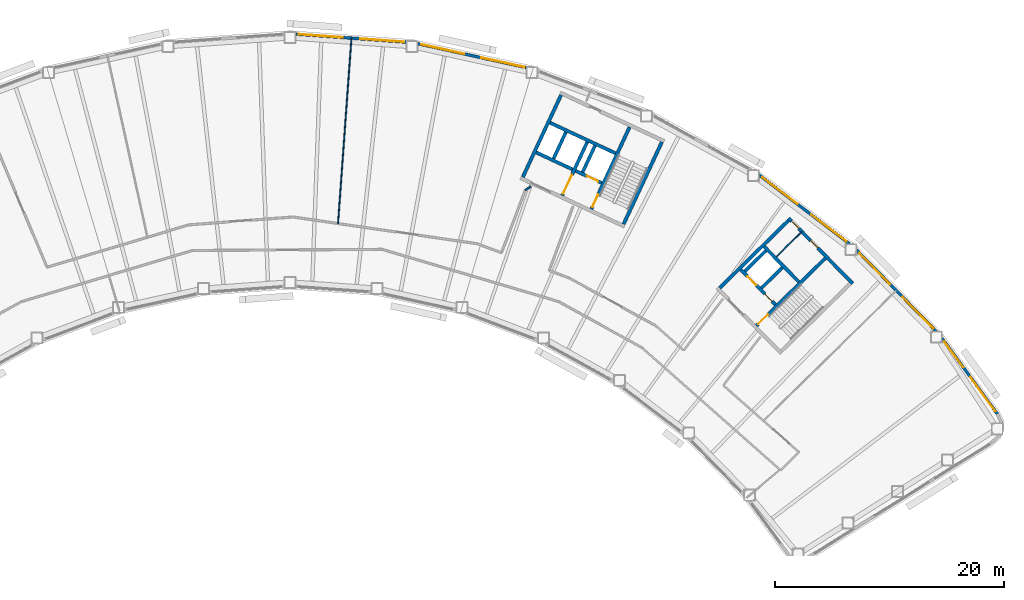
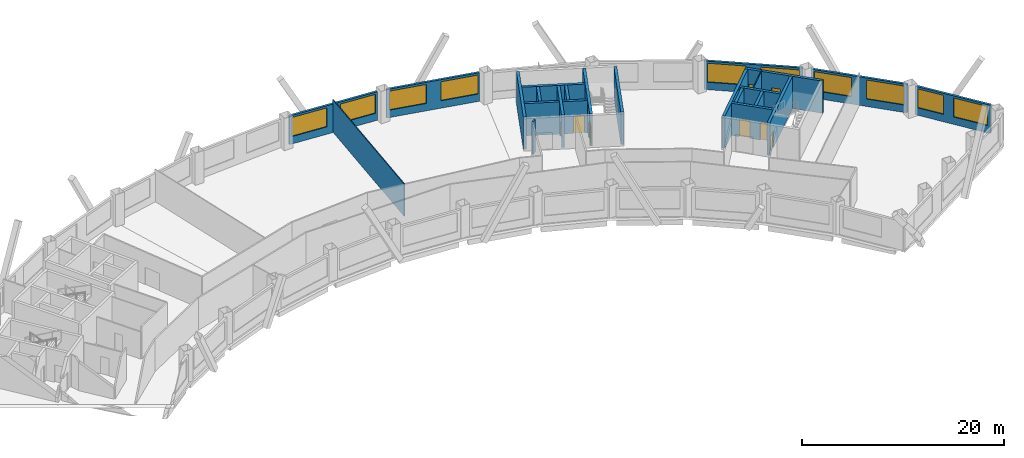
# One storey, part 7 of 11: 24 walls, 10 windows, 8 doors, 18 openings.
"""IFC4 building model written with IfcOpenShell, lengths in metres."""

from ifc_helpers import new_model, si_unit, direction, frame, frame_2d, origin, place, context, subcontext, project, spatial, rectangle, extrude, material, layer, layer_set, type_object, element, fill, save


model = new_model("IFC4")

# Units and contexts
model_context = context("Model", 3, precision=1e-05, world=origin(), true_north=direction((0.0, 1.0)))
body_context = subcontext(model_context, "Body", "Model", "MODEL_VIEW")
ifc_project = project(units=[si_unit("LENGTHUNIT", "METRE"), si_unit("AREAUNIT", "SQUARE_METRE"), si_unit("VOLUMEUNIT", "CUBIC_METRE"), si_unit("PLANEANGLEUNIT", "RADIAN"), si_unit("MASSUNIT", "GRAM", prefix="KILO")], contexts=[model_context])

# Site, building, storey
site_placement = place(None, origin())
site = spatial("IfcSite", under=ifc_project, at=site_placement, CompositionType="ELEMENT")
building_placement = place(site_placement, origin())
building = spatial("IfcBuilding", under=site, at=building_placement, Name="Tuul Gate Civic Tower", CompositionType="ELEMENT")
storey_placement = place(building_placement, frame((0.0, 0.0, 155.0)))
storey = spatial("IfcBuildingStorey", under=building, at=storey_placement, Name="Level 35", CompositionType="ELEMENT", Elevation=155.0)

# Wall, openings, doors
ifc_material_1 = material(Name="Concrete C50/60", Category="concrete")
ifc_layer_1 = layer(ifc_material_1, 0.300048828125)
ifc_layer_set_1 = layer_set([ifc_layer_1], Name="Concrete C50/60")
wall_type_1 = type_object("IfcWallType", Name="Core wall C50/60", PredefinedType="SHEAR", material=ifc_layer_set_1)
wall_1_placement = place(storey_placement, frame((47.701904296875, -14.079833984375, 0.0), z_axis=(0.0, 0.0, 1.0), x_axis=(-0.700002721075, 0.714140175657, 0.0)))
wall_1 = element("IfcWall", 1, at=wall_1_placement, inside=storey, type_object=wall_type_1, Name="Core wall", PredefinedType="SHEAR", context=body_context, shape_type="SweptSolid", body=[
    extrude(rectangle(XDim=4.300048828125, YDim=0.300048828125, at=frame_2d((2.14990234375, 0.0))), origin(), (0.0, 0.0, 1.0), 3.89990234375),
])
opening_1_placement = place(wall_1_placement, frame((0.425048828125, 0.0, 0.0)))
opening_1 = element("IfcOpeningElement", 2, at=opening_1_placement, cuts=wall_1, Name="Opening FB-E1A1", PredefinedType="OPENING", context=body_context, shape_type="SweptSolid", body=[
    extrude(rectangle(XDim=0.89990234375, YDim=2.10009765625, at=frame_2d((0.449951171875, 1.050048828125))), frame((0.0, 0.16015625, 0.0), z_axis=(0.0, -1.0, 0.0), x_axis=(1.0, 0.0, 0.0)), (0.0, 0.0, 1.0), 0.320068359375),
])
opening_2_placement = place(wall_1_placement, frame((2.375, 0.0, 0.0)))
opening_2 = element("IfcOpeningElement", 3, at=opening_2_placement, cuts=wall_1, Name="Opening LD-M3", PredefinedType="OPENING", context=body_context, shape_type="SweptSolid", body=[
    extrude(rectangle(XDim=1.10009765625, YDim=2.10009765625, at=frame_2d((0.550048828125, 1.050048828125))), frame((0.0, 0.16015625, 0.0), z_axis=(0.0, -1.0, 0.0), x_axis=(1.0, 0.0, 0.0)), (0.0, 0.0, 1.0), 0.320068359375),
])
ifc_material_2 = material(Name="Stainless steel", Category="steel")
door_type_1 = type_object("IfcDoorType", Name="Landing door", OperationType="DOUBLE_DOOR_SLIDING", PredefinedType="DOOR", material=ifc_material_2)
door_1_placement = place(opening_2_placement, origin())
door_1 = element("IfcDoor", 4, at=door_1_placement, inside=storey, type_object=door_type_1, Name="Mid-rise lift M3 landing door", OperationType="DOUBLE_DOOR_SLIDING", OverallHeight=2.10009765625, OverallWidth=1.10009765625, PredefinedType="DOOR", context=body_context, shape_type="SweptSolid", body=[
    extrude(rectangle(XDim=1.10009765625, YDim=2.10009765625, at=frame_2d((0.550048828125, 1.050048828125))), frame((0.0, 0.02490234375, 0.0), z_axis=(0.0, -1.0, 0.0), x_axis=(1.0, 0.0, 0.0)), (0.0, 0.0, 1.0), 0.050048828125),
])
fill(opening_2, door_1)
ifc_material_3 = material(Name="Steel", Category="steel")
door_type_2 = type_object("IfcDoorType", Name="Store door", OperationType="NOTDEFINED", PredefinedType="DOOR", material=ifc_material_3)
door_2_placement = place(opening_1_placement, frame((0.89990234375, 0.0, 0.0), z_axis=(0.0, 0.0, 1.0), x_axis=(-1.0, 0.0, 0.0)))
door_2 = element("IfcDoor", 5, at=door_2_placement, inside=storey, type_object=door_type_2, Name="Store door E1A1", OperationType="SINGLE_SWING_RIGHT", OverallHeight=2.10009765625, OverallWidth=0.89990234375, PredefinedType="DOOR", context=body_context, shape_type="SweptSolid", body=[
    extrude(rectangle(XDim=0.89990234375, YDim=2.10009765625, at=frame_2d((0.449951171875, 1.050048828125))), frame((0.0, 0.02490234375, 0.0), z_axis=(0.0, -1.0, 0.0), x_axis=(1.0, 0.0, 0.0)), (0.0, 0.0, 1.0), 0.050048828125),
])
fill(opening_1, door_2)

# Wall
wall_2_placement = place(storey_placement, frame((49.737060546875, -12.0849609375, 0.0), z_axis=(0.0, 0.0, 1.0), x_axis=(-0.700002721075, 0.714140175657, 0.0)))
element("IfcWall", 6, at=wall_2_placement, inside=storey, type_object=wall_type_1, Name="Core wall", PredefinedType="SHEAR", context=body_context, shape_type="SweptSolid", body=[
    extrude(rectangle(XDim=4.300048828125, YDim=0.300048828125, at=frame_2d((2.14990234375, 0.0))), origin(), (0.0, 0.0, 1.0), 3.89990234375),
])

# Wall, openings, doors
wall_3_placement = place(storey_placement, frame((54.43798828125, -12.23779296875, 0.0), z_axis=(0.0, 0.0, 1.0), x_axis=(-0.700021979774, 0.714121297703, 0.0)))
wall_3 = element("IfcWall", 7, at=wall_3_placement, inside=storey, type_object=wall_type_1, Name="Core wall", PredefinedType="SHEAR", context=body_context, shape_type="SweptSolid", body=[
    extrude(rectangle(XDim=8.0, YDim=0.300048828125, at=frame_2d((4.0, 0.0))), origin(), (0.0, 0.0, 1.0), 3.89990234375),
])
opening_3_placement = place(wall_3_placement, frame((4.34375, 0.0, 0.0)))
opening_3 = element("IfcOpeningElement", 8, at=opening_3_placement, cuts=wall_3, Name="Opening L-D13", PredefinedType="OPENING", context=body_context, shape_type="SweptSolid", body=[
    extrude(rectangle(XDim=0.89990234375, YDim=2.10009765625, at=frame_2d((0.449951171875, 1.050048828125))), frame((0.0, 0.16015625, 0.0), z_axis=(0.0, -1.0, 0.0), x_axis=(1.0, 0.0, 0.0)), (0.0, 0.0, 1.0), 0.320068359375),
])
opening_4_placement = place(wall_3_placement, frame((6.71875, 0.0, 0.0)))
opening_4 = element("IfcOpeningElement", 9, at=opening_4_placement, cuts=wall_3, Name="Opening L-D14", PredefinedType="OPENING", context=body_context, shape_type="SweptSolid", body=[
    extrude(rectangle(XDim=0.89990234375, YDim=2.10009765625, at=frame_2d((0.449951171875, 1.050048828125))), frame((0.0, 0.16015625, 0.0), z_axis=(0.0, -1.0, 0.0), x_axis=(1.0, 0.0, 0.0)), (0.0, 0.0, 1.0), 0.320068359375),
])
ifc_material_4 = material(Name="Timber door leaf", Category="wood")
door_type_3 = type_object("IfcDoorType", Name="Door D09", OperationType="NOTDEFINED", PredefinedType="DOOR", material=ifc_material_4)
door_3_placement = place(opening_3_placement, origin())
door_3 = element("IfcDoor", 10, at=door_3_placement, inside=storey, type_object=door_type_3, Name="Door L-D13", OperationType="SINGLE_SWING_LEFT", OverallHeight=2.10009765625, OverallWidth=0.89990234375, PredefinedType="DOOR", context=body_context, shape_type="SweptSolid", body=[
    extrude(rectangle(XDim=0.89990234375, YDim=2.10009765625, at=frame_2d((0.449951171875, 1.050048828125))), frame((0.0, 0.02490234375, 0.0), z_axis=(0.0, -1.0, 0.0), x_axis=(1.0, 0.0, 0.0)), (0.0, 0.0, 1.0), 0.050048828125),
])
fill(opening_3, door_3)
door_4_placement = place(opening_4_placement, origin())
door_4 = element("IfcDoor", 11, at=door_4_placement, inside=storey, type_object=door_type_3, Name="Door L-D14", OperationType="SINGLE_SWING_LEFT", OverallHeight=2.10009765625, OverallWidth=0.89990234375, PredefinedType="DOOR", context=body_context, shape_type="SweptSolid", body=[
    extrude(rectangle(XDim=0.89990234375, YDim=2.10009765625, at=frame_2d((0.449951171875, 1.050048828125))), frame((0.0, 0.02490234375, 0.0), z_axis=(0.0, -1.0, 0.0), x_axis=(1.0, 0.0, 0.0)), (0.0, 0.0, 1.0), 0.050048828125),
])
fill(opening_4, door_4)

# Wall, opening, door
wall_4_placement = place(storey_placement, frame((46.05712890625, -15.902099609375, 0.0), z_axis=(0.0, 0.0, 1.0), x_axis=(0.714134086973, 0.700008932674, 0.0)))
wall_4 = element("IfcWall", 12, at=wall_4_placement, inside=storey, type_object=wall_type_1, Name="Core wall", PredefinedType="SHEAR", context=body_context, shape_type="SweptSolid", body=[
    extrude(rectangle(XDim=8.400146484375, YDim=0.300048828125, at=frame_2d((4.2001953125, 0.0))), origin(), (0.0, 0.0, 1.0), 3.89990234375),
])
opening_5_placement = place(wall_4_placement, frame((0.199951171875, 0.0, 0.0)))
opening_5 = element("IfcOpeningElement", 13, at=opening_5_placement, cuts=wall_4, Name="Opening SD-ST-3", PredefinedType="OPENING", context=body_context, shape_type="SweptSolid", body=[
    extrude(rectangle(XDim=1.199951171875, YDim=2.10009765625, at=frame_2d((0.60009765625, 1.050048828125))), frame((0.0, 0.16015625, 0.0), z_axis=(0.0, -1.0, 0.0), x_axis=(1.0, 0.0, 0.0)), (0.0, 0.0, 1.0), 0.320068359375),
])
ifc_material_5 = material(Name="Steel", Category="steel")
door_type_4 = type_object("IfcDoorType", Name="Stair door", OperationType="NOTDEFINED", PredefinedType="DOOR", material=ifc_material_5)
door_5_placement = place(opening_5_placement, origin())
door_5 = element("IfcDoor", 14, at=door_5_placement, inside=storey, type_object=door_type_4, Name="Stair door ST-3", OperationType="SINGLE_SWING_LEFT", OverallHeight=2.10009765625, OverallWidth=1.199951171875, PredefinedType="DOOR", context=body_context, shape_type="SweptSolid", body=[
    extrude(rectangle(XDim=1.199951171875, YDim=2.10009765625, at=frame_2d((0.60009765625, 1.050048828125))), frame((0.0, 0.02490234375, 0.0), z_axis=(0.0, -1.0, 0.0), x_axis=(1.0, 0.0, 0.0)), (0.0, 0.0, 1.0), 0.050048828125),
])
fill(opening_5, door_5)

# Walls
wall_5_placement = place(storey_placement, frame((46.47900390625, -12.617919921875, 0.0), z_axis=(0.0, 0.0, 1.0), x_axis=(0.71410944159, 0.700034074479, 0.0)))
element("IfcWall", 15, at=wall_5_placement, inside=storey, type_object=wall_type_1, Name="Core wall", PredefinedType="SHEAR", context=body_context, shape_type="SweptSolid", body=[
    extrude(rectangle(XDim=2.5498046875, YDim=0.300048828125, at=frame_2d((1.27490234375, 0.0))), origin(), (0.0, 0.0, 1.0), 3.89990234375),
])
wall_6_placement = place(storey_placement, frame((45.0439453125, -11.154052734375, 0.0), z_axis=(0.0, 0.0, 1.0), x_axis=(0.714108498262, 0.700035036773, 0.0)))
element("IfcWall", 16, at=wall_6_placement, inside=storey, type_object=wall_type_1, Name="Core wall", PredefinedType="SHEAR", context=body_context, shape_type="SweptSolid", body=[
    extrude(rectangle(XDim=2.550048828125, YDim=0.300048828125, at=frame_2d((1.27490234375, 0.0))), origin(), (0.0, 0.0, 1.0), 3.89990234375),
])
wall_7_placement = place(storey_placement, frame((42.837158203125, -12.616943359375, 0.0), z_axis=(0.0, 0.0, 1.0), x_axis=(0.714119844755, 0.700023461983, 0.0)))
element("IfcWall", 17, at=wall_7_placement, inside=storey, type_object=wall_type_1, Name="Core wall", PredefinedType="SHEAR", context=body_context, shape_type="SweptSolid", body=[
    extrude(rectangle(XDim=8.39990234375, YDim=0.300048828125, at=frame_2d((4.199951171875, 0.0))), origin(), (0.0, 0.0, 1.0), 3.89990234375),
])

# Wall, opening, door
wall_8_placement = place(storey_placement, frame((32.545654296875, -3.456787109375, 0.0), z_axis=(0.0, 0.0, 1.0), x_axis=(-0.906300357825, 0.42263419337, 0.0)))
wall_8 = element("IfcWall", 18, at=wall_8_placement, inside=storey, type_object=wall_type_1, Name="Core wall", PredefinedType="SHEAR", context=body_context, shape_type="SweptSolid", body=[
    extrude(rectangle(XDim=2.500244140625, YDim=0.300048828125, at=frame_2d((1.25, 0.0))), origin(), (0.0, 0.0, 1.0), 3.89990234375),
])
opening_6_placement = place(wall_8_placement, frame((0.324951171875, 0.0, 0.0)))
opening_6 = element("IfcOpeningElement", 19, at=opening_6_placement, cuts=wall_8, Name="Opening LD-FF-2", PredefinedType="OPENING", context=body_context, shape_type="SweptSolid", body=[
    extrude(rectangle(XDim=1.10009765625, YDim=2.10009765625, at=frame_2d((0.550048828125, 1.050048828125))), frame((0.0, 0.16015625, 0.0), z_axis=(0.0, -1.0, 0.0), x_axis=(1.0, 0.0, 0.0)), (0.0, 0.0, 1.0), 0.320068359375),
])
door_6_placement = place(opening_6_placement, origin())
door_6 = element("IfcDoor", 20, at=door_6_placement, inside=storey, type_object=door_type_1, Name="Fire-fighting lift FF-2 landing door", OperationType="DOUBLE_DOOR_SLIDING", OverallHeight=2.10009765625, OverallWidth=1.10009765625, PredefinedType="DOOR", context=body_context, shape_type="SweptSolid", body=[
    extrude(rectangle(XDim=1.10009765625, YDim=2.10009765625, at=frame_2d((0.550048828125, 1.050048828125))), frame((0.0, 0.02490234375, 0.0), z_axis=(0.0, -1.0, 0.0), x_axis=(1.0, 0.0, 0.0)), (0.0, 0.0, 1.0), 0.050048828125),
])
fill(opening_6, door_6)

# Walls
wall_9_placement = place(storey_placement, frame((30.0078125, -2.2734375, 0.0), z_axis=(0.0, 0.0, 1.0), x_axis=(-0.90630071767, 0.422633421716, 0.0)))
element("IfcWall", 21, at=wall_9_placement, inside=storey, type_object=wall_type_1, Name="Core wall", PredefinedType="SHEAR", context=body_context, shape_type="SweptSolid", body=[
    extrude(rectangle(XDim=3.5, YDim=0.300048828125, at=frame_2d((1.75, 0.0))), origin(), (0.0, 0.0, 1.0), 3.89990234375),
])
wall_10_placement = place(storey_placement, frame((33.75, -0.873779296875, 0.0), z_axis=(0.0, 0.0, 1.0), x_axis=(-0.906300917592, 0.422632992999, 0.0)))
element("IfcWall", 22, at=wall_10_placement, inside=storey, type_object=wall_type_1, Name="Core wall", PredefinedType="SHEAR", context=body_context, shape_type="SweptSolid", body=[
    extrude(rectangle(XDim=6.300048828125, YDim=0.300048828125, at=frame_2d((3.14990234375, 0.0))), origin(), (0.0, 0.0, 1.0), 3.89990234375),
])
wall_11_placement = place(storey_placement, frame((34.455810546875, -7.05078125, 0.0), z_axis=(0.0, 0.0, 1.0), x_axis=(0.422570768258, 0.906329932096, 0.0)))
element("IfcWall", 23, at=wall_11_placement, inside=storey, type_object=wall_type_1, Name="Core wall", PredefinedType="SHEAR", context=body_context, shape_type="SweptSolid", body=[
    extrude(rectangle(XDim=7.900146484375, YDim=0.300048828125, at=frame_2d((3.9501953125, 0.0))), origin(), (0.0, 0.0, 1.0), 3.89990234375),
])

# Wall, opening, door
wall_12_placement = place(storey_placement, frame((31.646240234375, -5.740478515625, 0.0), z_axis=(0.0, 0.0, 1.0), x_axis=(0.422582604137, 0.906324413596, 0.0)))
wall_12 = element("IfcWall", 24, at=wall_12_placement, inside=storey, type_object=wall_type_1, Name="Core wall", PredefinedType="SHEAR", context=body_context, shape_type="SweptSolid", body=[
    extrude(rectangle(XDim=7.89990234375, YDim=0.300048828125, at=frame_2d((3.949951171875, 0.0))), origin(), (0.0, 0.0, 1.0), 3.89990234375),
])
opening_7_placement = place(wall_12_placement, frame((0.199951171875, 0.0, 0.0)))
opening_7 = element("IfcOpeningElement", 25, at=opening_7_placement, cuts=wall_12, Name="Opening SD-ST-4", PredefinedType="OPENING", context=body_context, shape_type="SweptSolid", body=[
    extrude(rectangle(XDim=1.199951171875, YDim=2.10009765625, at=frame_2d((0.60009765625, 1.050048828125))), frame((0.0, 0.16015625, 0.0), z_axis=(0.0, -1.0, 0.0), x_axis=(1.0, 0.0, 0.0)), (0.0, 0.0, 1.0), 0.320068359375),
])
door_7_placement = place(opening_7_placement, origin())
door_7 = element("IfcDoor", 26, at=door_7_placement, inside=storey, type_object=door_type_4, Name="Stair door ST-4", OperationType="SINGLE_SWING_LEFT", OverallHeight=2.10009765625, OverallWidth=1.199951171875, PredefinedType="DOOR", context=body_context, shape_type="SweptSolid", body=[
    extrude(rectangle(XDim=1.199951171875, YDim=2.10009765625, at=frame_2d((0.60009765625, 1.050048828125))), frame((0.0, 0.02490234375, 0.0), z_axis=(0.0, -1.0, 0.0), x_axis=(1.0, 0.0, 0.0)), (0.0, 0.0, 1.0), 0.050048828125),
])
fill(opening_7, door_7)

# Wall
wall_13_placement = place(storey_placement, frame((30.886962890625, -2.517822265625, 0.0), z_axis=(0.0, 0.0, 1.0), x_axis=(0.422612891016, 0.906310291427, 0.0)))
element("IfcWall", 27, at=wall_13_placement, inside=storey, type_object=wall_type_1, Name="Core wall", PredefinedType="SHEAR", context=body_context, shape_type="SweptSolid", body=[
    extrude(rectangle(XDim=2.550048828125, YDim=0.300048828125, at=frame_2d((1.27490234375, 0.0))), origin(), (0.0, 0.0, 1.0), 3.89990234375),
])

# Wall, opening, door
wall_14_placement = place(storey_placement, frame((29.108642578125, -4.557373046875, 0.0), z_axis=(0.0, 0.0, 1.0), x_axis=(0.422566235356, 0.90633204552, 0.0)))
wall_14 = element("IfcWall", 28, at=wall_14_placement, inside=storey, type_object=wall_type_1, Name="Core wall", PredefinedType="SHEAR", context=body_context, shape_type="SweptSolid", body=[
    extrude(rectangle(XDim=5.150146484375, YDim=0.300048828125, at=frame_2d((2.5751953125, 0.0))), origin(), (0.0, 0.0, 1.0), 3.89990234375),
])
opening_8_placement = place(wall_14_placement, frame((0.175048828125, 0.0, 0.0)))
opening_8 = element("IfcOpeningElement", 29, at=opening_8_placement, cuts=wall_14, Name="Opening LB-E3-FLOBBY-1", PredefinedType="OPENING", context=body_context, shape_type="SweptSolid", body=[
    extrude(rectangle(XDim=1.800048828125, YDim=2.10009765625, at=frame_2d((0.89990234375, 1.050048828125))), frame((0.0, 0.16015625, 0.0), z_axis=(0.0, -1.0, 0.0), x_axis=(1.0, 0.0, 0.0)), (0.0, 0.0, 1.0), 0.320068359375),
])
ifc_material_6 = material(Name="Steel", Category="steel")
door_type_5 = type_object("IfcDoorType", Name="Lobby door", OperationType="DOUBLE_DOOR_SINGLE_SWING", PredefinedType="DOOR", material=ifc_material_6)
door_8_placement = place(opening_8_placement, frame((1.800048828125, 0.0, 0.0), z_axis=(0.0, 0.0, 1.0), x_axis=(-1.0, 0.0, 0.0)))
door_8 = element("IfcDoor", 30, at=door_8_placement, inside=storey, type_object=door_type_5, Name="Lobby door E3-FLOBBY", OperationType="DOUBLE_DOOR_SINGLE_SWING", OverallHeight=2.10009765625, OverallWidth=1.800048828125, PredefinedType="DOOR", context=body_context, shape_type="SweptSolid", body=[
    extrude(rectangle(XDim=1.800048828125, YDim=2.10009765625, at=frame_2d((0.900146484375, 1.050048828125))), frame((0.0, 0.02490234375, 0.0), z_axis=(0.0, -1.0, 0.0), x_axis=(1.0, 0.0, 0.0)), (0.0, 0.0, 1.0), 0.050048828125),
])
fill(opening_8, door_8)

# Walls
wall_15_placement = place(storey_placement, frame((28.349365234375, -1.33447265625, 0.0), z_axis=(0.0, 0.0, 1.0), x_axis=(0.422612891016, 0.906310291427, 0.0)))
element("IfcWall", 31, at=wall_15_placement, inside=storey, type_object=wall_type_1, Name="Core wall", PredefinedType="SHEAR", context=body_context, shape_type="SweptSolid", body=[
    extrude(rectangle(XDim=2.550048828125, YDim=0.300048828125, at=frame_2d((1.27490234375, 0.0))), origin(), (0.0, 0.0, 1.0), 3.89990234375),
])
wall_16_placement = place(storey_placement, frame((25.66455078125, -2.951416015625, 0.0), z_axis=(0.0, 0.0, 1.0), x_axis=(0.422582604137, 0.906324413596, 0.0)))
element("IfcWall", 32, at=wall_16_placement, inside=storey, type_object=wall_type_1, Name="Core wall", PredefinedType="SHEAR", context=body_context, shape_type="SweptSolid", body=[
    extrude(rectangle(XDim=7.89990234375, YDim=0.300048828125, at=frame_2d((3.949951171875, 0.0))), origin(), (0.0, 0.0, 1.0), 3.89990234375),
])
ifc_material_7 = material(Name="Gypsum board partition")
ifc_layer_2 = layer(ifc_material_7, 0.14990234375)
ifc_layer_set_2 = layer_set([ifc_layer_2], Name="Gypsum board partition")
wall_type_2 = type_object("IfcWallType", Name="Corridor wall P150", PredefinedType="PARTITIONING", material=ifc_layer_set_2)
wall_17_placement = place(storey_placement, frame((25.884033203125, -4.08251953125, 0.0), z_axis=(0.0, 0.0, 1.0), x_axis=(0.823480373331, 0.567344758272, 0.0)))
element("IfcWall", 33, at=wall_17_placement, inside=storey, type_object=wall_type_2, Name="p015", PredefinedType="PARTITIONING", context=body_context, shape_type="SweptSolid", body=[
    extrude(rectangle(XDim=0.55859375, YDim=0.14990234375, at=frame_2d((0.279296875, 0.0))), origin(), (0.0, 0.0, 1.0), 3.89990234375),
])

# Wall, openings, windows
ifc_material_8 = material(Name="Precast concrete C40/50", Category="concrete")
ifc_layer_3 = layer(ifc_material_8, 0.25)
ifc_layer_set_3 = layer_set([ifc_layer_3], Name="Precast concrete C40/50")
wall_type_3 = type_object("IfcWallType", Name="External wall", PredefinedType="STANDARD", material=ifc_layer_set_3)
wall_18_placement = place(storey_placement, frame((67.06298828125, -23.61376953125, 0.0), z_axis=(0.0, 0.0, 1.0), x_axis=(-0.589745261817, 0.807589330145, 0.0)))
wall_18 = element("IfcWall", 34, at=wall_18_placement, inside=storey, type_object=wall_type_3, Name="External wall", PredefinedType="STANDARD", context=body_context, shape_type="SweptSolid", body=[
    extrude(rectangle(XDim=8.167724609375, YDim=0.25, at=frame_2d((4.083984375, 0.0))), origin(), (0.0, 0.0, 1.0), 3.449951171875),
])
opening_9_placement = place(wall_18_placement, frame((0.30078125, 0.0, 0.89990234375)))
opening_9 = element("IfcOpeningElement", 35, at=opening_9_placement, cuts=wall_18, Name="Opening W21", PredefinedType="OPENING", context=body_context, shape_type="SweptSolid", body=[
    extrude(rectangle(XDim=3.699951171875, YDim=2.300048828125, at=frame_2d((1.85009765625, 1.14990234375))), frame((0.0, 0.135009765625, 0.0), z_axis=(0.0, -1.0, 0.0), x_axis=(1.0, 0.0, 0.0)), (0.0, 0.0, 1.0), 0.27001953125),
])
opening_10_placement = place(wall_18_placement, frame((5.052734375, 0.0, 0.89990234375)))
opening_10 = element("IfcOpeningElement", 36, at=opening_10_placement, cuts=wall_18, Name="Opening W23", PredefinedType="OPENING", context=body_context, shape_type="SweptSolid", body=[
    extrude(rectangle(XDim=2.800048828125, YDim=2.300048828125, at=frame_2d((1.39990234375, 1.14990234375))), frame((0.0, 0.135009765625, 0.0), z_axis=(0.0, -1.0, 0.0), x_axis=(1.0, 0.0, 0.0)), (0.0, 0.0, 1.0), 0.27001953125),
])
ifc_material_9 = material(Name="Glass", Category="glass")
window_type_1 = type_object("IfcWindowType", Name="Window W21 3700 x 2300", PartitioningType="SINGLE_PANEL", PredefinedType="WINDOW", material=ifc_material_9)
window_1_placement = place(opening_9_placement, origin())
window_1 = element("IfcWindow", 37, at=window_1_placement, inside=storey, type_object=window_type_1, Name="Window", OverallHeight=2.300048828125, OverallWidth=3.699951171875, PartitioningType="SINGLE_PANEL", PredefinedType="WINDOW", context=body_context, shape_type="SweptSolid", body=[
    extrude(rectangle(XDim=3.699951171875, YDim=2.300048828125, at=frame_2d((1.85009765625, 1.14990234375))), frame((0.0, 0.030029296875, 0.0), z_axis=(0.0, -1.0, 0.0), x_axis=(1.0, 0.0, 0.0)), (0.0, 0.0, 1.0), 0.06005859375),
])
fill(opening_9, window_1)
ifc_material_10 = material(Name="Glass", Category="glass")
window_type_2 = type_object("IfcWindowType", Name="Window W23 2800 x 2300", PartitioningType="SINGLE_PANEL", PredefinedType="WINDOW", material=ifc_material_10)
window_2_placement = place(opening_10_placement, origin())
window_2 = element("IfcWindow", 38, at=window_2_placement, inside=storey, type_object=window_type_2, Name="Window", OverallHeight=2.300048828125, OverallWidth=2.800048828125, PartitioningType="SINGLE_PANEL", PredefinedType="WINDOW", context=body_context, shape_type="SweptSolid", body=[
    extrude(rectangle(XDim=2.800048828125, YDim=2.300048828125, at=frame_2d((1.39990234375, 1.14990234375))), frame((0.0, 0.030029296875, 0.0), z_axis=(0.0, -1.0, 0.0), x_axis=(1.0, 0.0, 0.0)), (0.0, 0.0, 1.0), 0.06005859375),
])
fill(opening_10, window_2)

wall_19_placement = place(storey_placement, frame((61.7109375, -16.384033203125, 0.0), z_axis=(0.0, 0.0, 1.0), x_axis=(-0.700039889753, 0.714103740891, 0.0)))
wall_19 = element("IfcWall", 39, at=wall_19_placement, inside=storey, type_object=wall_type_3, Name="External wall", PredefinedType="STANDARD", context=body_context, shape_type="SweptSolid", body=[
    extrude(rectangle(XDim=9.912353515625, YDim=0.25, at=frame_2d((4.9560546875, 0.0))), origin(), (0.0, 0.0, 1.0), 3.449951171875),
])
opening_11_placement = place(wall_19_placement, frame((0.3466796875, 0.0, 0.89990234375)))
opening_11 = element("IfcOpeningElement", 40, at=opening_11_placement, cuts=wall_19, Name="Opening W22", PredefinedType="OPENING", context=body_context, shape_type="SweptSolid", body=[
    extrude(rectangle(XDim=3.85009765625, YDim=2.300048828125, at=frame_2d((1.925048828125, 1.14990234375))), frame((0.0, 0.135009765625, 0.0), z_axis=(0.0, -1.0, 0.0), x_axis=(1.0, 0.0, 0.0)), (0.0, 0.0, 1.0), 0.27001953125),
])
opening_12_placement = place(wall_19_placement, frame((5.7177734375, 0.0, 0.89990234375)))
opening_12 = element("IfcOpeningElement", 41, at=opening_12_placement, cuts=wall_19, Name="Opening W22", PredefinedType="OPENING", context=body_context, shape_type="SweptSolid", body=[
    extrude(rectangle(XDim=3.85009765625, YDim=2.300048828125, at=frame_2d((1.925048828125, 1.14990234375))), frame((0.0, 0.135009765625, 0.0), z_axis=(0.0, -1.0, 0.0), x_axis=(1.0, 0.0, 0.0)), (0.0, 0.0, 1.0), 0.27001953125),
])
ifc_material_11 = material(Name="Glass", Category="glass")
window_type_3 = type_object("IfcWindowType", Name="Window W22 3850 x 2300", PartitioningType="SINGLE_PANEL", PredefinedType="WINDOW", material=ifc_material_11)
window_3_placement = place(opening_11_placement, origin())
window_3 = element("IfcWindow", 42, at=window_3_placement, inside=storey, type_object=window_type_3, Name="Window", OverallHeight=2.300048828125, OverallWidth=3.85009765625, PartitioningType="SINGLE_PANEL", PredefinedType="WINDOW", context=body_context, shape_type="SweptSolid", body=[
    extrude(rectangle(XDim=3.85009765625, YDim=2.300048828125, at=frame_2d((1.925048828125, 1.14990234375))), frame((0.0, 0.030029296875, 0.0), z_axis=(0.0, -1.0, 0.0), x_axis=(1.0, 0.0, 0.0)), (0.0, 0.0, 1.0), 0.06005859375),
])
fill(opening_11, window_3)
window_4_placement = place(opening_12_placement, origin())
window_4 = element("IfcWindow", 43, at=window_4_placement, inside=storey, type_object=window_type_3, Name="Window", OverallHeight=2.300048828125, OverallWidth=3.85009765625, PartitioningType="SINGLE_PANEL", PredefinedType="WINDOW", context=body_context, shape_type="SweptSolid", body=[
    extrude(rectangle(XDim=3.85009765625, YDim=2.300048828125, at=frame_2d((1.925048828125, 1.14990234375))), frame((0.0, 0.030029296875, 0.0), z_axis=(0.0, -1.0, 0.0), x_axis=(1.0, 0.0, 0.0)), (0.0, 0.0, 1.0), 0.06005859375),
])
fill(opening_12, window_4)

wall_20_placement = place(storey_placement, frame((54.15087890625, -8.759033203125, 0.0), z_axis=(0.0, 0.0, 1.0), x_axis=(-0.795610041496, 0.605809096887, 0.0)))
wall_20 = element("IfcWall", 44, at=wall_20_placement, inside=storey, type_object=wall_type_3, Name="External wall", PredefinedType="STANDARD", context=body_context, shape_type="SweptSolid", body=[
    extrude(rectangle(XDim=9.89794921875, YDim=0.25, at=frame_2d((4.948974609375, 0.0))), origin(), (0.0, 0.0, 1.0), 3.449951171875),
])
opening_13_placement = place(wall_20_placement, frame((0.3291015625, 0.0, 0.89990234375)))
opening_13 = element("IfcOpeningElement", 45, at=opening_13_placement, cuts=wall_20, Name="Opening W22", PredefinedType="OPENING", context=body_context, shape_type="SweptSolid", body=[
    extrude(rectangle(XDim=3.85009765625, YDim=2.300048828125, at=frame_2d((1.925048828125, 1.14990234375))), frame((0.0, 0.135009765625, 0.0), z_axis=(0.0, -1.0, 0.0), x_axis=(1.0, 0.0, 0.0)), (0.0, 0.0, 1.0), 0.27001953125),
])
opening_14_placement = place(wall_20_placement, frame((5.700439453125, 0.0, 0.89990234375)))
opening_14 = element("IfcOpeningElement", 46, at=opening_14_placement, cuts=wall_20, Name="Opening W22", PredefinedType="OPENING", context=body_context, shape_type="SweptSolid", body=[
    extrude(rectangle(XDim=3.85009765625, YDim=2.300048828125, at=frame_2d((1.925048828125, 1.14990234375))), frame((0.0, 0.135009765625, 0.0), z_axis=(0.0, -1.0, 0.0), x_axis=(1.0, 0.0, 0.0)), (0.0, 0.0, 1.0), 0.27001953125),
])
window_5_placement = place(opening_13_placement, origin())
window_5 = element("IfcWindow", 47, at=window_5_placement, inside=storey, type_object=window_type_3, Name="Window", OverallHeight=2.300048828125, OverallWidth=3.85009765625, PartitioningType="SINGLE_PANEL", PredefinedType="WINDOW", context=body_context, shape_type="SweptSolid", body=[
    extrude(rectangle(XDim=3.85009765625, YDim=2.300048828125, at=frame_2d((1.925048828125, 1.14990234375))), frame((0.0, 0.030029296875, 0.0), z_axis=(0.0, -1.0, 0.0), x_axis=(1.0, 0.0, 0.0)), (0.0, 0.0, 1.0), 0.06005859375),
])
fill(opening_13, window_5)
window_6_placement = place(opening_14_placement, origin())
window_6 = element("IfcWindow", 48, at=window_6_placement, inside=storey, type_object=window_type_3, Name="Window", OverallHeight=2.300048828125, OverallWidth=3.85009765625, PartitioningType="SINGLE_PANEL", PredefinedType="WINDOW", context=body_context, shape_type="SweptSolid", body=[
    extrude(rectangle(XDim=3.85009765625, YDim=2.300048828125, at=frame_2d((1.925048828125, 1.14990234375))), frame((0.0, 0.030029296875, 0.0), z_axis=(0.0, -1.0, 0.0), x_axis=(1.0, 0.0, 0.0)), (0.0, 0.0, 1.0), 0.06005859375),
])
fill(opening_14, window_6)

wall_21_placement = place(storey_placement, frame((25.950927734375, 6.60546875, 0.0), z_axis=(0.0, 0.0, 1.0), x_axis=(-0.976568733391, 0.215205736364, 0.0)))
wall_21 = element("IfcWall", 49, at=wall_21_placement, inside=storey, type_object=wall_type_3, Name="External wall", PredefinedType="STANDARD", context=body_context, shape_type="SweptSolid", body=[
    extrude(rectangle(XDim=9.654296875, YDim=0.25, at=frame_2d((4.8271484375, 0.0))), origin(), (0.0, 0.0, 1.0), 3.449951171875),
])
opening_15_placement = place(wall_21_placement, frame((0.145263671875, 0.0, 0.89990234375)))
opening_15 = element("IfcOpeningElement", 50, at=opening_15_placement, cuts=wall_21, Name="Opening W22", PredefinedType="OPENING", context=body_context, shape_type="SweptSolid", body=[
    extrude(rectangle(XDim=3.85009765625, YDim=2.300048828125, at=frame_2d((1.925048828125, 1.14990234375))), frame((0.0, 0.135009765625, 0.0), z_axis=(0.0, -1.0, 0.0), x_axis=(1.0, 0.0, 0.0)), (0.0, 0.0, 1.0), 0.27001953125),
])
opening_16_placement = place(wall_21_placement, frame((5.5166015625, 0.0, 0.89990234375)))
opening_16 = element("IfcOpeningElement", 51, at=opening_16_placement, cuts=wall_21, Name="Opening W22", PredefinedType="OPENING", context=body_context, shape_type="SweptSolid", body=[
    extrude(rectangle(XDim=3.85009765625, YDim=2.300048828125, at=frame_2d((1.925048828125, 1.14990234375))), frame((0.0, 0.135009765625, 0.0), z_axis=(0.0, -1.0, 0.0), x_axis=(1.0, 0.0, 0.0)), (0.0, 0.0, 1.0), 0.27001953125),
])
window_7_placement = place(opening_15_placement, origin())
window_7 = element("IfcWindow", 52, at=window_7_placement, inside=storey, type_object=window_type_3, Name="Window", OverallHeight=2.300048828125, OverallWidth=3.85009765625, PartitioningType="SINGLE_PANEL", PredefinedType="WINDOW", context=body_context, shape_type="SweptSolid", body=[
    extrude(rectangle(XDim=3.85009765625, YDim=2.300048828125, at=frame_2d((1.925048828125, 1.14990234375))), frame((0.0, 0.030029296875, 0.0), z_axis=(0.0, -1.0, 0.0), x_axis=(1.0, 0.0, 0.0)), (0.0, 0.0, 1.0), 0.06005859375),
])
fill(opening_15, window_7)
window_8_placement = place(opening_16_placement, origin())
window_8 = element("IfcWindow", 53, at=window_8_placement, inside=storey, type_object=window_type_3, Name="Window", OverallHeight=2.300048828125, OverallWidth=3.85009765625, PartitioningType="SINGLE_PANEL", PredefinedType="WINDOW", context=body_context, shape_type="SweptSolid", body=[
    extrude(rectangle(XDim=3.85009765625, YDim=2.300048828125, at=frame_2d((1.925048828125, 1.14990234375))), frame((0.0, 0.030029296875, 0.0), z_axis=(0.0, -1.0, 0.0), x_axis=(1.0, 0.0, 0.0)), (0.0, 0.0, 1.0), 0.06005859375),
])
fill(opening_16, window_8)

wall_22_placement = place(storey_placement, frame((15.52294921875, 8.822509765625, 0.0), z_axis=(0.0, 0.0, 1.0), x_axis=(-0.997386456692, 0.07225133914, 0.0)))
wall_22 = element("IfcWall", 54, at=wall_22_placement, inside=storey, type_object=wall_type_3, Name="External wall", PredefinedType="STANDARD", context=body_context, shape_type="SweptSolid", body=[
    extrude(rectangle(XDim=9.67431640625, YDim=0.25, at=frame_2d((4.837158203125, 0.0))), origin(), (0.0, 0.0, 1.0), 3.449951171875),
])
opening_17_placement = place(wall_22_placement, frame((0.203125, 0.0, 0.89990234375)))
opening_17 = element("IfcOpeningElement", 55, at=opening_17_placement, cuts=wall_22, Name="Opening W22", PredefinedType="OPENING", context=body_context, shape_type="SweptSolid", body=[
    extrude(rectangle(XDim=3.85009765625, YDim=2.300048828125, at=frame_2d((1.925048828125, 1.14990234375))), frame((0.0, 0.135009765625, 0.0), z_axis=(0.0, -1.0, 0.0), x_axis=(1.0, 0.0, 0.0)), (0.0, 0.0, 1.0), 0.27001953125),
])
opening_18_placement = place(wall_22_placement, frame((5.57421875, 0.0, 0.89990234375)))
opening_18 = element("IfcOpeningElement", 56, at=opening_18_placement, cuts=wall_22, Name="Opening W22", PredefinedType="OPENING", context=body_context, shape_type="SweptSolid", body=[
    extrude(rectangle(XDim=3.85009765625, YDim=2.300048828125, at=frame_2d((1.925048828125, 1.14990234375))), frame((0.0, 0.135009765625, 0.0), z_axis=(0.0, -1.0, 0.0), x_axis=(1.0, 0.0, 0.0)), (0.0, 0.0, 1.0), 0.27001953125),
])
window_9_placement = place(opening_17_placement, origin())
window_9 = element("IfcWindow", 57, at=window_9_placement, inside=storey, type_object=window_type_3, Name="Window", OverallHeight=2.300048828125, OverallWidth=3.85009765625, PartitioningType="SINGLE_PANEL", PredefinedType="WINDOW", context=body_context, shape_type="SweptSolid", body=[
    extrude(rectangle(XDim=3.85009765625, YDim=2.300048828125, at=frame_2d((1.925048828125, 1.14990234375))), frame((0.0, 0.030029296875, 0.0), z_axis=(0.0, -1.0, 0.0), x_axis=(1.0, 0.0, 0.0)), (0.0, 0.0, 1.0), 0.06005859375),
])
fill(opening_17, window_9)
window_10_placement = place(opening_18_placement, origin())
window_10 = element("IfcWindow", 58, at=window_10_placement, inside=storey, type_object=window_type_3, Name="Window", OverallHeight=2.300048828125, OverallWidth=3.85009765625, PartitioningType="SINGLE_PANEL", PredefinedType="WINDOW", context=body_context, shape_type="SweptSolid", body=[
    extrude(rectangle(XDim=3.85009765625, YDim=2.300048828125, at=frame_2d((1.925048828125, 1.14990234375))), frame((0.0, 0.030029296875, 0.0), z_axis=(0.0, -1.0, 0.0), x_axis=(1.0, 0.0, 0.0)), (0.0, 0.0, 1.0), 0.06005859375),
])
fill(opening_18, window_10)

# Walls
ifc_material_12 = material(Name="Gypsum board partition")
ifc_layer_4 = layer(ifc_material_12, 0.10009765625)
ifc_layer_set_4 = layer_set([ifc_layer_4], Name="Gypsum board partition")
wall_type_4 = type_object("IfcWallType", Name="Partition P100", PredefinedType="PARTITIONING", material=ifc_layer_set_4)
wall_23_placement = place(storey_placement, frame((9.551025390625, -6.998046875, 0.0), z_axis=(0.0, 0.0, 1.0), x_axis=(0.072252771604, 0.997386352922, 0.0)))
element("IfcWall", 59, at=wall_23_placement, inside=storey, type_object=wall_type_4, Name="p014", PredefinedType="PARTITIONING", context=body_context, shape_type="SweptSolid", body=[
    extrude(rectangle(XDim=16.2158203125, YDim=0.10009765625, at=frame_2d((8.10791015625, 0.0))), origin(), (0.0, 0.0, 1.0), 3.89990234375),
])
wall_24_placement = place(storey_placement, frame((47.787841796875, -9.882080078125, 0.0), z_axis=(0.0, 0.0, 1.0), x_axis=(0.714119924869, 0.700023380256, 0.0)))
element("IfcWall", 60, at=wall_24_placement, inside=storey, type_object=wall_type_4, Name="bE1-BAND-0", PredefinedType="PARTITIONING", context=body_context, shape_type="SweptSolid", body=[
    extrude(rectangle(XDim=3.10009765625, YDim=0.10009765625, at=frame_2d((1.550048828125, 0.0))), origin(), (0.0, 0.0, 1.0), 3.89990234375),
])

save(model, "model.ifc")
